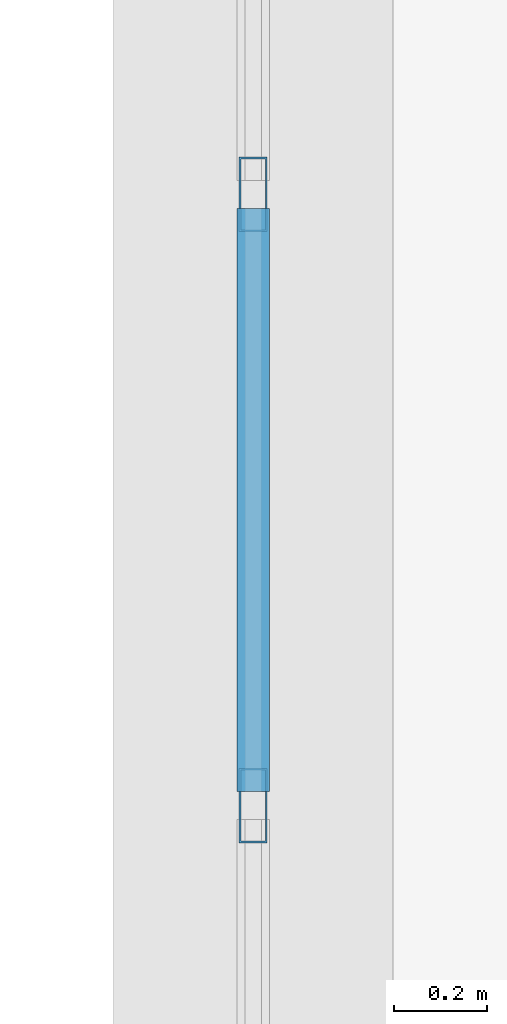
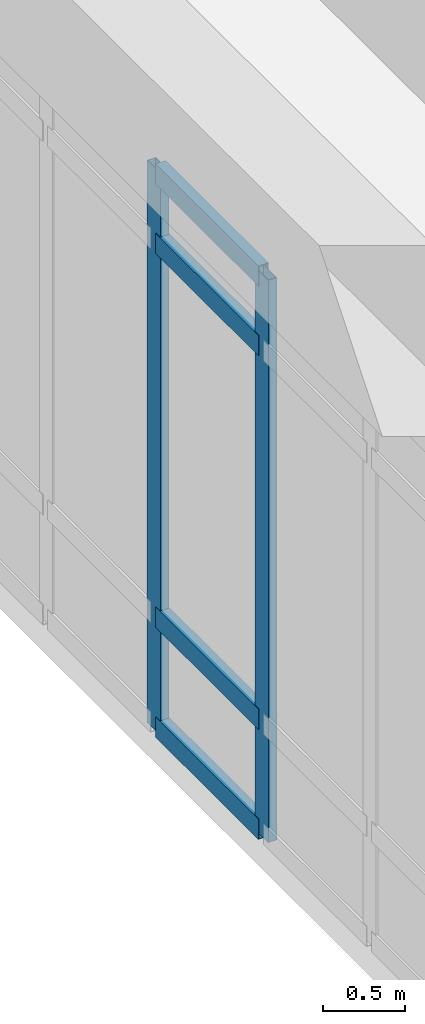
# One storey, part 33 of 138: 6 members, 1 element without a shape of its own.
"""IFC4 building model written with IfcOpenShell, lengths in metres."""

import ifcopenshell
import ifcopenshell.guid

model = None  # the IFC model being written
_history = None  # IfcOwnerHistory: only IFC2X3 demands one
_inside = {}  # id of a spatial element -> (the spatial element, [elements in it])
_under = {}  # id of a project, library or spatial element -> (it, [spatial elements below it])
_declared = {}  # id of a project -> (the project, [libraries it declares])
_typed = {}  # id of a type object -> (the type object, [elements of that type])
_made_of = {}  # id of a material, layer set ... -> (it, [elements and type objects made of it])


def new_model(schema):
    """Start an empty IFC model of exactly this schema.

    Asked for "IFC4X3", IfcOpenShell would pick the latest addendum, in which some entities
    have other attributes; the version numbers below select the first issue.
    IFC2X3 requires an IfcOwnerHistory on every rooted entity: one is made here for all.
    """
    global model, _history
    if schema == "IFC4X3":
        model = ifcopenshell.file(schema_version=(4, 3, 0, 0))
    else:
        model = ifcopenshell.file(schema=schema)
    _inside.clear()
    _under.clear()
    _declared.clear()
    _typed.clear()
    _made_of.clear()
    _history = None
    if model.schema == "IFC2X3":
        org = make("IfcOrganization", Name="unknown")
        user = make(
            "IfcPersonAndOrganization",
            ThePerson=make("IfcPerson", FamilyName="unknown"),
            TheOrganization=org,
        )
        app = make(
            "IfcApplication",
            ApplicationDeveloper=org,
            Version="unknown",
            ApplicationFullName="unknown",
            ApplicationIdentifier="unknown",
        )
        _history = make(
            "IfcOwnerHistory",
            OwningUser=user,
            OwningApplication=app,
            ChangeAction="ADDED",
            CreationDate=0,
        )
    return model


def make(cls, **values):
    """One entity of the class cls with the attributes given. An attribute that is None is left unset."""
    return model.create_entity(
        cls, **{name: value for name, value in values.items() if value is not None}
    )


def rooted(cls, **values):
    """An entity with a GlobalId (a new one), such as an element, a storey or a relation."""
    return make(cls, GlobalId=ifcopenshell.guid.new(), OwnerHistory=_history, **values)


def si_unit(unit_type, name, prefix=None):
    """IfcSIUnit, for example si_unit("LENGTHUNIT", "METRE", prefix="MILLI")."""
    return make("IfcSIUnit", UnitType=unit_type, Prefix=prefix, Name=name)


def assignment(units):
    """IfcUnitAssignment: the units of a project."""
    return None if units is None else make("IfcUnitAssignment", Units=units)


def point(xyz):
    """IfcCartesianPoint."""
    return None if xyz is None else make("IfcCartesianPoint", Coordinates=xyz)


def direction(xyz):
    """IfcDirection."""
    return None if xyz is None else make("IfcDirection", DirectionRatios=xyz)


def frame(location, z_axis=None, x_axis=None):
    """IfcAxis2Placement3D, a coordinate frame: its origin and axes. An axis left out is left unset."""
    return make(
        "IfcAxis2Placement3D",
        Location=point(location),
        Axis=direction(z_axis),
        RefDirection=direction(x_axis),
    )


def frame_2d(location, x_axis=None):
    """IfcAxis2Placement2D, a coordinate frame in the plane: its origin and x axis."""
    return make(
        "IfcAxis2Placement2D", Location=point(location), RefDirection=direction(x_axis)
    )


def origin():
    """The frame at (0, 0, 0) with its axes left unset."""
    return frame((0.0, 0.0, 0.0))


def origin_2d():
    """The frame at (0, 0) in the plane with its x axis left unset."""
    return frame_2d((0.0, 0.0))


def place(relative_to, where):
    """IfcLocalPlacement: puts the frame where relative to a parent placement (None: the world)."""
    return make(
        "IfcLocalPlacement", PlacementRelTo=relative_to, RelativePlacement=where
    )


def context(
    kind, dimensions, precision=None, world=None, true_north=None, identifier=None
):
    """IfcGeometricRepresentationContext, for example the 3D "Model" context."""
    return make(
        "IfcGeometricRepresentationContext",
        ContextIdentifier=identifier,
        ContextType=kind,
        CoordinateSpaceDimension=dimensions,
        Precision=precision,
        WorldCoordinateSystem=world,
        TrueNorth=true_north,
    )


def subcontext(parent, identifier, kind, view, scale=None):
    """IfcGeometricRepresentationSubContext, for example "Body" below "Model"."""
    return make(
        "IfcGeometricRepresentationSubContext",
        ContextIdentifier=identifier,
        ContextType=kind,
        ParentContext=parent,
        TargetScale=scale,
        TargetView=view,
    )


def project(units=None, contexts=None):
    """IfcProject with its units and contexts."""
    return rooted(
        "IfcProject",
        Name="project",
        RepresentationContexts=contexts,
        UnitsInContext=assignment(units),
    )


def spatial(cls, under=None, at=None, **own):
    """A site, building, storey or space (cls), placed at a placement, below another one or the project."""
    s = rooted(cls, ObjectPlacement=at, **own)
    if under is not None:
        _under.setdefault(under.id(), (under, []))[1].append(s)
    return s


def profile(cls, at=None, kind="AREA", **sizes):
    """A parametric profile (cls). Its sizes go by their IFC names, for example OverallWidth=200.0."""
    return make(cls, ProfileType=kind, Position=at, **sizes)


def hollow_rectangle(**sizes):
    """IfcRectangleHollowProfileDef."""
    return profile("IfcRectangleHollowProfileDef", **sizes)


def extrude(swept, where, along, depth):
    """IfcExtrudedAreaSolid: the profile swept, set in the frame where, extruded along a direction by depth."""
    return make(
        "IfcExtrudedAreaSolid",
        SweptArea=swept,
        Position=where,
        ExtrudedDirection=direction(along),
        Depth=depth,
    )


def shape(context_of_items, identifier, shape_type, items):
    """IfcShapeRepresentation: the items that make up one representation, for example the "Body"."""
    return make(
        "IfcShapeRepresentation",
        ContextOfItems=context_of_items,
        RepresentationIdentifier=identifier,
        RepresentationType=shape_type,
        Items=items,
    )


def material(Name=None, Category=None):
    """IfcMaterial."""
    return make("IfcMaterial", Name=Name, Category=Category)


def layer(
    of_material, thickness, ventilated=None, Name=None, Category=None, Priority=None
):
    """IfcMaterialLayer: one layer of a wall or slab, of a material (None: an air gap)."""
    return make(
        "IfcMaterialLayer",
        Material=of_material,
        LayerThickness=thickness,
        IsVentilated=ventilated,
        Name=Name,
        Category=Category,
        Priority=Priority,
    )


def layer_set(layers, Name=None):
    """IfcMaterialLayerSet."""
    return make("IfcMaterialLayerSet", MaterialLayers=layers, LayerSetName=Name)


def material_profile(
    of_material, cross_section, Name=None, Category=None, Priority=None
):
    """IfcMaterialProfile: a cross section and its material."""
    return make(
        "IfcMaterialProfile",
        Name=Name,
        Material=of_material,
        Profile=cross_section,
        Priority=Priority,
        Category=Category,
    )


def profile_set(profiles, Name=None, composite=None):
    """IfcMaterialProfileSet."""
    return make(
        "IfcMaterialProfileSet",
        Name=Name,
        MaterialProfiles=profiles,
        CompositeProfile=composite,
    )


def made_of(thing, what):
    """Note that an element or type object is made of a material, layer set ...; save() writes the relation."""
    if what is not None:
        _made_of.setdefault(what.id(), (what, []))[1].append(thing)
    return thing


def type_object(cls, material=None, **own):
    """A type object (cls), such as IfcWallType, which elements share."""
    return made_of(rooted(cls, **own), material)


def element(
    cls,
    number,
    at=None,
    inside=None,
    cuts=None,
    type_object=None,
    material=None,
    context=None,
    identifier="Body",
    shape_type=None,
    held_by="IfcProductDefinitionShape",
    body=None,
    shapes=None,
    **own,
):
    """One element of the class cls, such as IfcWall. Its Tag is "e" and its number.

    at: its placement. inside: the storey or other place that contains it. cuts: it is an
    opening in that element (IfcRelVoidsElement). A single representation is given by context,
    identifier, shape_type and body (its items); several are given by shapes. held_by: the class
    of the entity that holds the representations. save() writes the other relations.
    """
    e = rooted(cls, Tag="e%d" % number, ObjectPlacement=at, **own)
    if body is not None:
        shapes = [shape(context, identifier, shape_type, body)]
    if shapes is not None:
        e.Representation = make(held_by, Representations=shapes)
    if inside is not None:
        _inside.setdefault(inside.id(), (inside, []))[1].append(e)
    if cuts is not None:
        rooted(
            "IfcRelVoidsElement", RelatingBuildingElement=cuts, RelatedOpeningElement=e
        )
    if type_object is not None:
        _typed.setdefault(type_object.id(), (type_object, []))[1].append(e)
    return made_of(e, material)


def aggregate(whole, parts):
    """IfcRelAggregates: a whole, such as a stair, and the parts it consists of."""
    return rooted("IfcRelAggregates", RelatingObject=whole, RelatedObjects=parts)


def save(model, path):
    """Write the relations noted so far, then the file.

    IfcRelAggregates (storeys below a building ...), IfcRelContainedInSpatialStructure (elements
    in a storey), IfcRelDefinesByType, IfcRelAssociatesMaterial and IfcRelDeclares: one each for
    every whole, place, type object, material and project.
    """
    for whole, parts in _under.values():
        aggregate(whole, parts)
    for where, things in _inside.values():
        rooted(
            "IfcRelContainedInSpatialStructure",
            RelatedElements=things,
            RelatingStructure=where,
        )
    for kind, things in _typed.values():
        rooted("IfcRelDefinesByType", RelatedObjects=things, RelatingType=kind)
    for what, things in _made_of.values():
        rooted("IfcRelAssociatesMaterial", RelatedObjects=things, RelatingMaterial=what)
    for by, libraries in _declared.values():
        rooted("IfcRelDeclares", RelatingContext=by, RelatedDefinitions=libraries)
    model.write(path)


model = new_model("IFC4")

# Units and contexts
model_context = context("Model", 3, precision=1e-05, world=origin(), true_north=direction((0.0, 1.0)))
body_context = subcontext(model_context, "Body", "Model", "MODEL_VIEW")
ifc_project = project(units=[si_unit("LENGTHUNIT", "METRE"), si_unit("AREAUNIT", "SQUARE_METRE"), si_unit("VOLUMEUNIT", "CUBIC_METRE"), si_unit("PLANEANGLEUNIT", "RADIAN"), si_unit("MASSUNIT", "GRAM", prefix="KILO")], contexts=[model_context])

# Site, building, storey
site_placement = place(None, origin())
site = spatial("IfcSite", under=ifc_project, at=site_placement, CompositionType="ELEMENT")
building_placement = place(site_placement, origin())
building = spatial("IfcBuilding", under=site, at=building_placement, Name="Fikremerkos Civic Library", CompositionType="ELEMENT")
storey_placement = place(building_placement, origin())
storey = spatial("IfcBuildingStorey", under=building, at=storey_placement, Name="L00", CompositionType="ELEMENT", Elevation=0.0)

# Curtain wall, members
ifc_material = material(Name="Anodized aluminium Frame", Category="aluminium")
ifc_layer = layer(ifc_material, 0.159912109375, Name="Anodized aluminium Frame")
ifc_layer_set = layer_set([ifc_layer], Name="Anodized aluminium Frame")
curtain_wall_type = type_object("IfcCurtainWallType", Name="Unitised curtain wall CW-02 3900x3600", PredefinedType="USERDEFINED", material=ifc_layer_set)
curtain_wall_placement = place(storey_placement, origin())
curtain_wall = element("IfcCurtainWall", 1, at=curtain_wall_placement, inside=storey, type_object=curtain_wall_type, Name="Unitised curtain wall CW-02 L00 #38", ObjectType="UNITISED CURTAIN WALL", PredefinedType="USERDEFINED")
ifc_material_profile_1 = material_profile(ifc_material, hollow_rectangle(XDim=0.06005859375, YDim=0.159912109375, WallThickness=0.00390625, at=origin_2d()), Name="ALU 160x60x4")
ifc_profile_set_1 = profile_set([ifc_material_profile_1], Name="Anodized aluminium Frame")
member_type_1 = type_object("IfcMemberType", Name="Curtain mullion CWM-02 ALU 160x60x4", PredefinedType="MULLION", material=ifc_profile_set_1)
member_1_placement = place(storey_placement, frame((59.699951171875, 106.169921875, 0.0), z_axis=(0.0, 0.0, 1.0), x_axis=(-1.0, 0.0, 0.0)))
member_1 = element("IfcMember", 2, at=member_1_placement, type_object=member_type_1, Name="CW-02 mullion 3", PredefinedType="MULLION", context=body_context, shape_type="SweptSolid", body=[
    extrude(hollow_rectangle(XDim=0.06005859375, YDim=0.159912109375, WallThickness=0.00390625, at=origin_2d()), origin(), (0.0, 0.0, 1.0), 4.169921875),
])
member_2_placement = place(storey_placement, frame((59.699951171875, 107.480224609375, 0.0), z_axis=(0.0, 0.0, 1.0), x_axis=(-1.0, 0.0, 0.0)))
member_2 = element("IfcMember", 3, at=member_2_placement, type_object=member_type_1, Name="CW-02 mullion 4", PredefinedType="MULLION", context=body_context, shape_type="SweptSolid", body=[
    extrude(hollow_rectangle(XDim=0.06005859375, YDim=0.159912109375, WallThickness=0.00390625, at=origin_2d()), origin(), (0.0, 0.0, 1.0), 4.169921875),
])
ifc_material_profile_2 = material_profile(ifc_material, hollow_rectangle(XDim=0.070068359375, YDim=0.14990234375, WallThickness=0.00439453125, at=origin_2d()), Name="ALU 150x70x4.5")
ifc_profile_set_2 = profile_set([ifc_material_profile_2], Name="Anodized aluminium Frame")
member_type_2 = type_object("IfcMemberType", Name="Curtain transom CWT-01 ALU 150x70x4.5", PredefinedType="USERDEFINED", material=ifc_profile_set_2)
member_3_placement = place(storey_placement, frame((59.699951171875, 106.199951171875, 0.034912109375), z_axis=(0.0, 1.0, 0.0), x_axis=(-1.0, 0.0, 0.0)))
member_3 = element("IfcMember", 4, at=member_3_placement, type_object=member_type_2, Name="CW-02 transom 3.1", ObjectType="TRANSOM", PredefinedType="USERDEFINED", context=body_context, shape_type="SweptSolid", body=[
    extrude(hollow_rectangle(XDim=0.070068359375, YDim=0.14990234375, WallThickness=0.00439453125, at=origin_2d()), origin(), (0.0, 0.0, 1.0), 1.250244140625),
])
member_4_placement = place(storey_placement, frame((59.699951171875, 106.199951171875, 0.85009765625), z_axis=(0.0, 1.0, 0.0), x_axis=(-1.0, 0.0, 0.0)))
member_4 = element("IfcMember", 5, at=member_4_placement, type_object=member_type_2, Name="CW-02 transom 3.2", ObjectType="TRANSOM", PredefinedType="USERDEFINED", context=body_context, shape_type="SweptSolid", body=[
    extrude(hollow_rectangle(XDim=0.070068359375, YDim=0.14990234375, WallThickness=0.00439453125, at=origin_2d()), origin(), (0.0, 0.0, 1.0), 1.250244140625),
])
member_5_placement = place(storey_placement, frame((59.699951171875, 106.199951171875, 3.6201171875), z_axis=(0.0, 1.0, 0.0), x_axis=(-1.0, 0.0, 0.0)))
member_5 = element("IfcMember", 6, at=member_5_placement, type_object=member_type_2, Name="CW-02 transom 3.3", ObjectType="TRANSOM", PredefinedType="USERDEFINED", context=body_context, shape_type="SweptSolid", body=[
    extrude(hollow_rectangle(XDim=0.070068359375, YDim=0.14990234375, WallThickness=0.00439453125, at=origin_2d()), origin(), (0.0, 0.0, 1.0), 1.250244140625),
])
member_6_placement = place(storey_placement, frame((59.699951171875, 106.199951171875, 4.135009765625), z_axis=(0.0, 1.0, 0.0), x_axis=(-1.0, 0.0, 0.0)))
member_6 = element("IfcMember", 7, at=member_6_placement, type_object=member_type_2, Name="CW-02 transom 3.4", ObjectType="TRANSOM", PredefinedType="USERDEFINED", context=body_context, shape_type="SweptSolid", body=[
    extrude(hollow_rectangle(XDim=0.070068359375, YDim=0.14990234375, WallThickness=0.00439453125, at=origin_2d()), origin(), (0.0, 0.0, 1.0), 1.250244140625),
])
aggregate(curtain_wall, [member_1, member_2, member_3, member_4, member_5, member_6])

save(model, "model.ifc")
